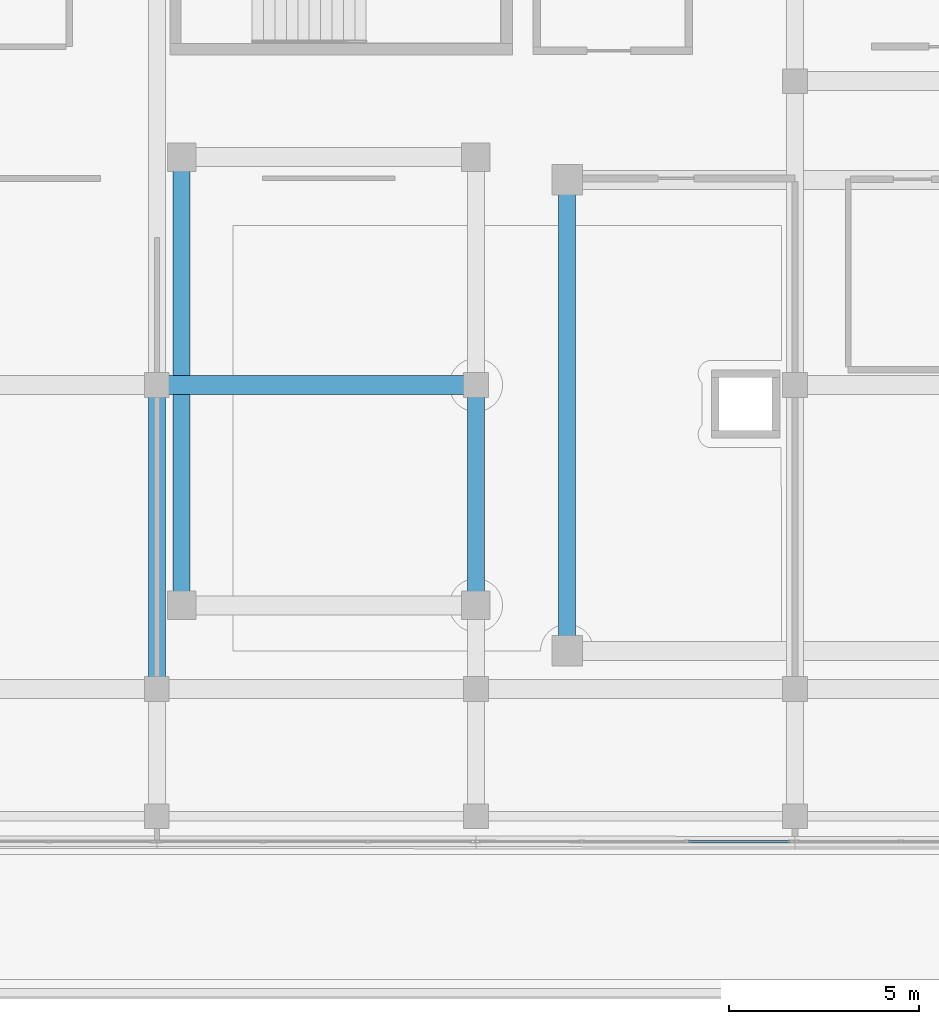
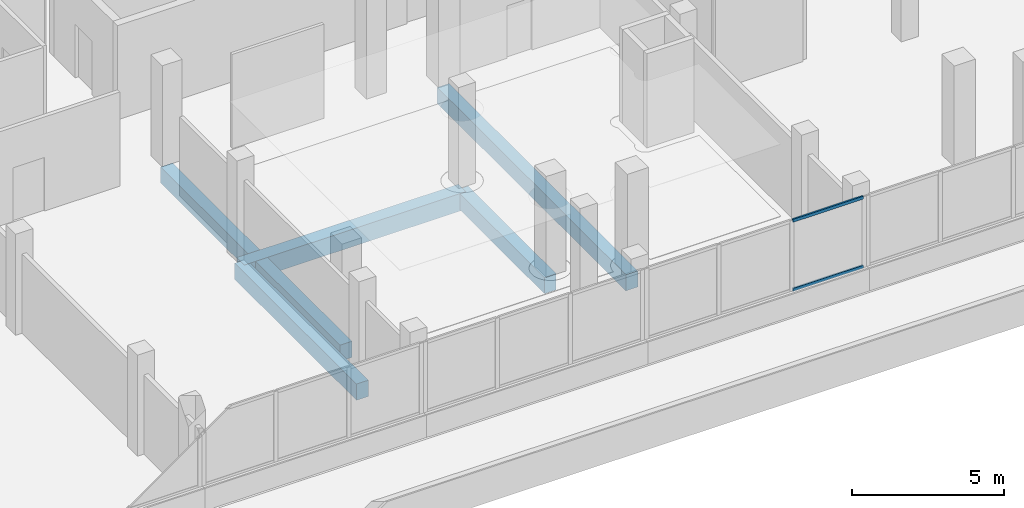
# One storey, part 8 of 78: 5 beams, 2 members, 1 element without a shape of its own.
"""IFC4 building model written with IfcOpenShell, lengths in metres."""

from ifc_helpers import new_model, si_unit, direction, frame, origin, origin_2d, place, context, subcontext, project, spatial, rectangle, hollow_rectangle, extrude, material, material_profile, profile_set, type_object, element, aggregate, save


model = new_model("IFC4")

# Units and contexts
model_context = context("Model", 3, precision=1e-05, world=origin(), true_north=direction((0.0, 1.0)))
body_context = subcontext(model_context, "Body", "Model", "MODEL_VIEW")
ifc_project = project(units=[si_unit("LENGTHUNIT", "METRE"), si_unit("AREAUNIT", "SQUARE_METRE"), si_unit("VOLUMEUNIT", "CUBIC_METRE"), si_unit("PLANEANGLEUNIT", "RADIAN"), si_unit("MASSUNIT", "GRAM", prefix="KILO")], contexts=[model_context])

# Site, building, storey
site_placement = place(None, origin())
site = spatial("IfcSite", under=ifc_project, at=site_placement, CompositionType="ELEMENT")
building_placement = place(site_placement, origin())
building = spatial("IfcBuilding", under=site, at=building_placement, Name="Selatvlak General Hospital", CompositionType="ELEMENT")
storey_placement = place(building_placement, frame((0.0, 0.0, 23.25)))
storey = spatial("IfcBuildingStorey", under=building, at=storey_placement, Name="L05", CompositionType="ELEMENT", Elevation=23.25)

# Beams
ifc_material_1 = material(Name="Concrete C40/50", Category="concrete")
ifc_material_profile_1 = material_profile(ifc_material_1, rectangle(XDim=0.5, YDim=0.699951171875, at=origin_2d()), Name="RC-BM 500x700")
ifc_profile_set_1 = profile_set([ifc_material_profile_1], Name="Concrete C40/50")
beam_type_1 = type_object("IfcBeamType", Name="BM-G03", PredefinedType="BEAM", material=ifc_profile_set_1)
beam_1_placement = place(storey_placement, frame((48.0, 100.0, -0.6298828125), z_axis=(1.0, 0.0, 0.0), x_axis=(0.0, 1.0, 0.0)))
element("IfcBeam", 1, at=beam_1_placement, inside=storey, type_object=beam_type_1, Name="Beam BMR-L05-1928", PredefinedType="BEAM", context=body_context, shape_type="SweptSolid", body=[
    extrude(rectangle(XDim=0.5, YDim=0.699951171875, at=origin_2d()), origin(), (0.0, 0.0, 1.0), 8.39990234375),
])
ifc_material_profile_2 = material_profile(ifc_material_1, rectangle(XDim=0.449951171875, YDim=0.64990234375, at=origin_2d()), Name="RC-BM 450x650")
ifc_profile_set_2 = profile_set([ifc_material_profile_2], Name="Concrete C40/50")
beam_type_2 = type_object("IfcBeamType", Name="BM-G04", PredefinedType="BEAM", material=ifc_profile_set_2)
beam_2_placement = place(storey_placement, frame((48.0, 92.0, -0.60498046875), z_axis=(0.0, 1.0, 0.0), x_axis=(-1.0, 0.0, 0.0)))
element("IfcBeam", 2, at=beam_2_placement, inside=storey, type_object=beam_type_2, Name="Beam BMR-L05-2000", PredefinedType="BEAM", context=body_context, shape_type="SweptSolid", body=[
    extrude(rectangle(XDim=0.449951171875, YDim=0.64990234375, at=origin_2d()), origin(), (0.0, 0.0, 1.0), 8.0),
])
beam_3_placement = place(storey_placement, frame((48.64990234375, 94.199951171875, -0.60498046875), z_axis=(0.0, 1.0, 0.0), x_axis=(-1.0, 0.0, 0.0)))
element("IfcBeam", 3, at=beam_3_placement, inside=storey, type_object=beam_type_2, Name="Beam BMR-L05-2002", PredefinedType="BEAM", context=body_context, shape_type="SweptSolid", body=[
    extrude(rectangle(XDim=0.449951171875, YDim=0.64990234375, at=origin_2d()), origin(), (0.0, 0.0, 1.0), 11.800048828125),
])
beam_4_placement = place(storey_placement, frame((56.39990234375, 94.199951171875, -0.60498046875), z_axis=(0.0, 1.0, 0.0), x_axis=(-1.0, 0.0, 0.0)))
element("IfcBeam", 4, at=beam_4_placement, inside=storey, type_object=beam_type_2, Name="Beam BMR-L05-2005", PredefinedType="BEAM", context=body_context, shape_type="SweptSolid", body=[
    extrude(rectangle(XDim=0.449951171875, YDim=0.64990234375, at=origin_2d()), origin(), (0.0, 0.0, 1.0), 5.800048828125),
])
beam_5_placement = place(storey_placement, frame((58.800048828125, 93.0, -0.60498046875), z_axis=(0.0, 1.0, 0.0), x_axis=(-1.0, 0.0, 0.0)))
element("IfcBeam", 5, at=beam_5_placement, inside=storey, type_object=beam_type_2, Name="Beam BMR-L05-2008", PredefinedType="BEAM", context=body_context, shape_type="SweptSolid", body=[
    extrude(rectangle(XDim=0.449951171875, YDim=0.64990234375, at=origin_2d()), origin(), (0.0, 0.0, 1.0), 12.39990234375),
])

# Curtain wall, members
ifc_material_2 = material(Name="Solar-control Low-E double glazing", Category="glass")
curtain_wall_type = type_object("IfcCurtainWallType", Name="CW-CW-01", PredefinedType="USERDEFINED", material=ifc_material_2)
curtain_wall_placement = place(storey_placement, origin())
curtain_wall = element("IfcCurtainWall", 6, at=curtain_wall_placement, inside=storey, type_object=curtain_wall_type, Name="Glazed facade curtain wall CW-L05-0589", ObjectType="UNITISED CURTAIN WALL", PredefinedType="USERDEFINED")
ifc_material_3 = material(Name="Dark anodised aluminium mullion", Category="aluminium")
ifc_material_profile_3 = material_profile(ifc_material_3, hollow_rectangle(XDim=0.06494140625, YDim=0.1201171875, WallThickness=0.00390625, at=origin_2d()), Name="AL-TRN 65x120x4")
ifc_profile_set_3 = profile_set([ifc_material_profile_3], Name="Dark anodised aluminium mullion")
member_type = type_object("IfcMemberType", Name="CWT-01", PredefinedType="USERDEFINED", material=ifc_profile_set_3)
member_1_placement = place(storey_placement, frame((64.669921875, 87.97998046875, 0.972412109375), z_axis=(-0.999999895939, 0.000456204332, 0.0), x_axis=(-0.000456204332, -0.999999895939, 0.0)))
member_1 = element("IfcMember", 7, at=member_1_placement, type_object=member_type, Name="CW-01 transom 1.1", ObjectType="TRANSOM", PredefinedType="USERDEFINED", context=body_context, shape_type="SweptSolid", body=[
    extrude(hollow_rectangle(XDim=0.06494140625, YDim=0.1201171875, WallThickness=0.00390625, at=origin_2d()), origin(), (0.0, 0.0, 1.0), 2.67578125),
])
member_2_placement = place(storey_placement, frame((64.669921875, 87.97998046875, 3.742431640625), z_axis=(-0.999999895939, 0.000456204332, 0.0), x_axis=(-0.000456204332, -0.999999895939, 0.0)))
member_2 = element("IfcMember", 8, at=member_2_placement, type_object=member_type, Name="CW-01 transom 1.2", ObjectType="TRANSOM", PredefinedType="USERDEFINED", context=body_context, shape_type="SweptSolid", body=[
    extrude(hollow_rectangle(XDim=0.06494140625, YDim=0.1201171875, WallThickness=0.00390625, at=origin_2d()), origin(), (0.0, 0.0, 1.0), 2.67578125),
])
aggregate(curtain_wall, [member_1, member_2])

save(model, "model.ifc")
